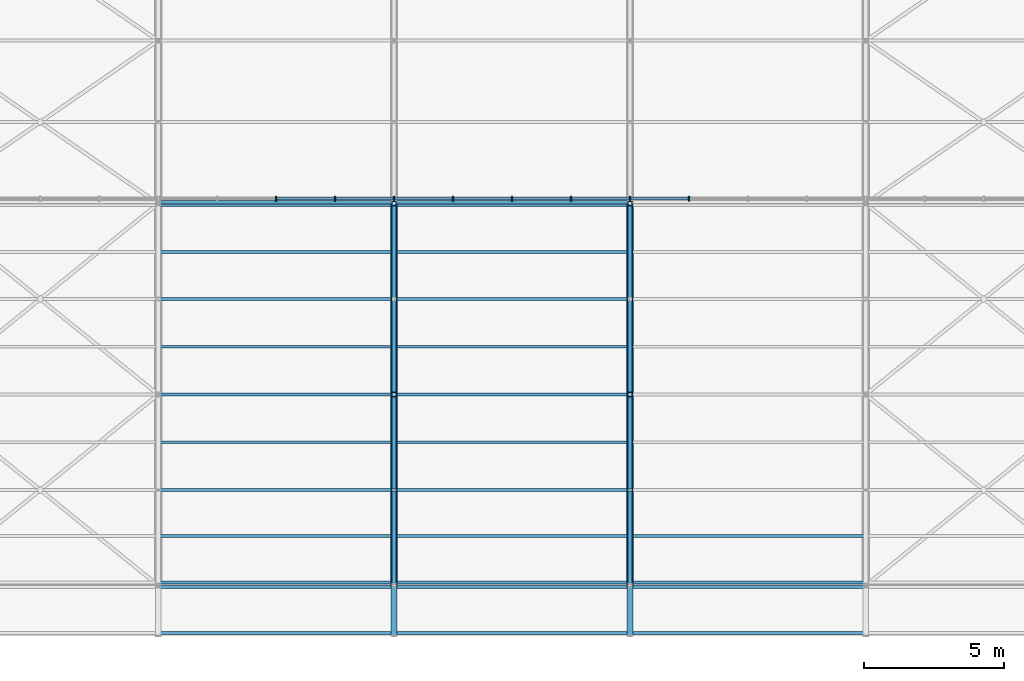
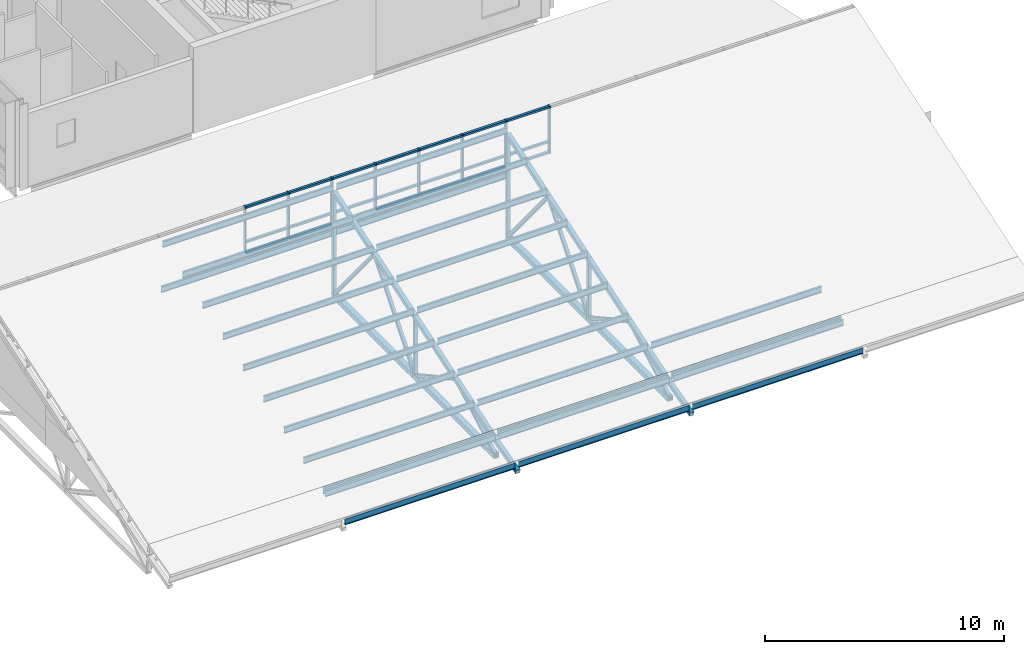
# One storey, part 21 of 89: 42 beams, 41 members, 1 element without a shape of its own.
"""IFC4 building model written with IfcOpenShell, lengths in metres."""

from ifc_helpers import new_model, si_unit, direction, frame, origin, origin_2d, place, context, subcontext, project, spatial, rectangle, hollow_rectangle, i_section, extrude, material, material_profile, profile_set, type_object, element, aggregate, save


model = new_model("IFC4")

# Units and contexts
model_context = context("Model", 3, precision=1e-05, world=origin(), true_north=direction((0.0, 1.0)))
body_context = subcontext(model_context, "Body", "Model", "MODEL_VIEW")
ifc_project = project(units=[si_unit("LENGTHUNIT", "METRE"), si_unit("AREAUNIT", "SQUARE_METRE"), si_unit("VOLUMEUNIT", "CUBIC_METRE"), si_unit("PLANEANGLEUNIT", "RADIAN"), si_unit("MASSUNIT", "GRAM", prefix="KILO")], contexts=[model_context])

# Site, building, storey
site_placement = place(None, origin())
site = spatial("IfcSite", under=ifc_project, at=site_placement, CompositionType="ELEMENT")
building_placement = place(site_placement, origin())
building = spatial("IfcBuilding", under=site, at=building_placement, Name="Hlaing Beacon Police Headquarters", CompositionType="ELEMENT")
storey_placement = place(building_placement, frame((0.0, 0.0, 9.89990234375)))
storey = spatial("IfcBuildingStorey", under=building, at=storey_placement, Name="L02", CompositionType="ELEMENT", Elevation=9.89990234375)

# Curtain wall, members
ifc_material_1 = material(Name="Aluminium frame with solar control glazing", Category="aluminium")
curtain_wall_type = type_object("IfcCurtainWallType", Name="Clerestory glazing 42.00 x 2.42", PredefinedType="NOTDEFINED", material=ifc_material_1)
curtain_wall_placement = place(storey_placement, origin())
curtain_wall = element("IfcCurtainWall", 1, at=curtain_wall_placement, inside=storey, type_object=curtain_wall_type, Name="ENV-CLR-V3-38", PredefinedType="NOTDEFINED")
ifc_material_2 = material(Name="Aluminium", Category="aluminium")
ifc_material_profile_1 = material_profile(ifc_material_2, rectangle(XDim=0.179931640625, YDim=0.06005859375, at=origin_2d()), Name="Mullion 60x180")
ifc_profile_set_1 = profile_set([ifc_material_profile_1], Name="Aluminium")
member_type_1 = type_object("IfcMemberType", Name="Mullion 60x180", PredefinedType="MULLION", material=ifc_profile_set_1)
member_1_placement = place(storey_placement, frame((105.0, 22.17822265625, 2.0810546875), z_axis=(0.0, 0.0, 1.0), x_axis=(0.0, 1.0, 0.0)))
member_1 = element("IfcMember", 2, at=member_1_placement, type_object=member_type_1, Name="CLR-V3-38 mullion 7", PredefinedType="MULLION", context=body_context, shape_type="SweptSolid", body=[
    extrude(rectangle(XDim=0.179931640625, YDim=0.06005859375, at=origin_2d()), origin(), (0.0, 0.0, 1.0), 2.4189453125),
])
member_2_placement = place(storey_placement, frame((107.10009765625, 22.17822265625, 2.0810546875), z_axis=(0.0, 0.0, 1.0), x_axis=(0.0, 1.0, 0.0)))
member_2 = element("IfcMember", 3, at=member_2_placement, type_object=member_type_1, Name="CLR-V3-38 mullion 8", PredefinedType="MULLION", context=body_context, shape_type="SweptSolid", body=[
    extrude(rectangle(XDim=0.179931640625, YDim=0.06005859375, at=origin_2d()), origin(), (0.0, 0.0, 1.0), 2.4189453125),
])
member_3_placement = place(storey_placement, frame((109.199951171875, 22.17822265625, 2.0810546875), z_axis=(0.0, 0.0, 1.0), x_axis=(0.0, 1.0, 0.0)))
member_3 = element("IfcMember", 4, at=member_3_placement, type_object=member_type_1, Name="CLR-V3-38 mullion 9", PredefinedType="MULLION", context=body_context, shape_type="SweptSolid", body=[
    extrude(rectangle(XDim=0.179931640625, YDim=0.06005859375, at=origin_2d()), origin(), (0.0, 0.0, 1.0), 2.4189453125),
])
member_4_placement = place(storey_placement, frame((111.300048828125, 22.17822265625, 2.0810546875), z_axis=(0.0, 0.0, 1.0), x_axis=(0.0, 1.0, 0.0)))
member_4 = element("IfcMember", 5, at=member_4_placement, type_object=member_type_1, Name="CLR-V3-38 mullion 10", PredefinedType="MULLION", context=body_context, shape_type="SweptSolid", body=[
    extrude(rectangle(XDim=0.179931640625, YDim=0.06005859375, at=origin_2d()), origin(), (0.0, 0.0, 1.0), 2.4189453125),
])
member_5_placement = place(storey_placement, frame((113.39990234375, 22.17822265625, 2.0810546875), z_axis=(0.0, 0.0, 1.0), x_axis=(0.0, 1.0, 0.0)))
member_5 = element("IfcMember", 6, at=member_5_placement, type_object=member_type_1, Name="CLR-V3-38 mullion 11", PredefinedType="MULLION", context=body_context, shape_type="SweptSolid", body=[
    extrude(rectangle(XDim=0.179931640625, YDim=0.06005859375, at=origin_2d()), origin(), (0.0, 0.0, 1.0), 2.4189453125),
])
member_6_placement = place(storey_placement, frame((115.5, 22.17822265625, 2.0810546875), z_axis=(0.0, 0.0, 1.0), x_axis=(0.0, 1.0, 0.0)))
member_6 = element("IfcMember", 7, at=member_6_placement, type_object=member_type_1, Name="CLR-V3-38 mullion 12", PredefinedType="MULLION", context=body_context, shape_type="SweptSolid", body=[
    extrude(rectangle(XDim=0.179931640625, YDim=0.06005859375, at=origin_2d()), origin(), (0.0, 0.0, 1.0), 2.4189453125),
])
member_7_placement = place(storey_placement, frame((117.60009765625, 22.17822265625, 2.0810546875), z_axis=(0.0, 0.0, 1.0), x_axis=(0.0, 1.0, 0.0)))
member_7 = element("IfcMember", 8, at=member_7_placement, type_object=member_type_1, Name="CLR-V3-38 mullion 13", PredefinedType="MULLION", context=body_context, shape_type="SweptSolid", body=[
    extrude(rectangle(XDim=0.179931640625, YDim=0.06005859375, at=origin_2d()), origin(), (0.0, 0.0, 1.0), 2.4189453125),
])
member_8_placement = place(storey_placement, frame((119.699951171875, 22.17822265625, 2.0810546875), z_axis=(0.0, 0.0, 1.0), x_axis=(0.0, 1.0, 0.0)))
member_8 = element("IfcMember", 9, at=member_8_placement, type_object=member_type_1, Name="CLR-V3-38 mullion 14", PredefinedType="MULLION", context=body_context, shape_type="SweptSolid", body=[
    extrude(rectangle(XDim=0.179931640625, YDim=0.06005859375, at=origin_2d()), origin(), (0.0, 0.0, 1.0), 2.4189453125),
])

# Beams
ifc_material_3 = material(Name="Steel ASTM A992 Grade 50", Category="steel")
ifc_material_profile_2 = material_profile(ifc_material_3, i_section(OverallWidth=0.102294921875, OverallDepth=0.3125, WebThickness=0.006591796875, FlangeThickness=0.0107421875, FilletRadius=0.007568359375, at=origin_2d()), Name="W12x22")
ifc_profile_set_2 = profile_set([ifc_material_profile_2], Name="Steel ASTM A992 Grade 50")
beam_type_1 = type_object("IfcBeamType", Name="Roof purlin W12x22", PredefinedType="BEAM", material=ifc_profile_set_2)
for number, where, z_axis, x_axis, name in (
    (10, (100.885009765625, 6.69970703125, -0.77880859375), (1.0, 0.0, 0.0), (0.0, 1.0, 0.0), "STR-RT-V3-PR-R1-01-2"),
    (11, (109.284912109375, 6.69970703125, -0.77880859375), (1.0, 0.0, 0.0), (0.0, 1.0, 0.0), "STR-RT-V3-PR-R1-01-3"),
    (12, (117.68505859375, 6.69970703125, -0.77880859375), (1.0, 0.0, 0.0), (0.0, 1.0, 0.0), "STR-RT-V3-PR-R1-01-4"),
    (13, (100.885009765625, 8.3388671875, -0.341552734375), (1.0, 0.0, 0.0), (0.0, 1.0, 0.0), "STR-RT-V3-PR-R1-02-2"),
    (14, (109.284912109375, 8.3388671875, -0.341552734375), (1.0, 0.0, 0.0), (0.0, 1.0, 0.0), "STR-RT-V3-PR-R1-02-3"),
    (15, (117.68505859375, 8.3388671875, -0.341552734375), (1.0, 0.0, 0.0), (0.0, 1.0, 0.0), "STR-RT-V3-PR-R1-02-4"),
    (16, (100.885009765625, 8.50830078125, -0.29541015625), (1.0, 0.0, 0.0), (0.0, 1.0, 0.0), "STR-RT-V3-PR-R2-01-2"),
    (17, (109.284912109375, 8.50830078125, -0.29541015625), (1.0, 0.0, 0.0), (0.0, 1.0, 0.0), "STR-RT-V3-PR-R2-01-3"),
    (18, (117.68505859375, 8.50830078125, -0.29541015625), (1.0, 0.0, 0.0), (0.0, 1.0, 0.0), "STR-RT-V3-PR-R2-01-4"),
    (19, (100.885009765625, 10.154296875, 0.2490234375), (1.0, 0.0, 0.0), (0.0, 1.0, 0.0), "STR-RT-V3-PR-R2-02-2"),
    (20, (109.284912109375, 10.154296875, 0.2490234375), (1.0, 0.0, 0.0), (0.0, 1.0, 0.0), "STR-RT-V3-PR-R2-02-3"),
    (21, (117.68505859375, 10.154296875, 0.2490234375), (1.0, 0.0, 0.0), (0.0, 1.0, 0.0), "STR-RT-V3-PR-R2-02-4"),
    (22, (100.885009765625, 11.800048828125, 0.793701171875), (1.0, 0.0, 0.0), (0.0, 1.0, 0.0), "STR-RT-V3-PR-R2-03-2"),
    (23, (109.284912109375, 11.800048828125, 0.793701171875), (1.0, 0.0, 0.0), (0.0, 1.0, 0.0), "STR-RT-V3-PR-R2-03-3"),
    (24, (100.885009765625, 13.5, 1.356201171875), (1.0, 0.0, 0.0), (0.0, 1.0, 0.0), "STR-RT-V3-PR-R2-04-2"),
    (25, (109.284912109375, 13.5, 1.356201171875), (1.0, 0.0, 0.0), (0.0, 1.0, 0.0), "STR-RT-V3-PR-R2-04-3"),
    (26, (100.885009765625, 15.199951171875, 1.918701171875), (1.0, 0.0, 0.0), (0.0, 1.0, 0.0), "STR-RT-V3-PR-R2-05-2"),
    (27, (109.284912109375, 15.199951171875, 1.918701171875), (1.0, 0.0, 0.0), (0.0, 1.0, 0.0), "STR-RT-V3-PR-R2-05-3"),
    (28, (100.885009765625, 16.89990234375, 2.481201171875), (1.0, 0.0, 0.0), (0.0, 1.0, 0.0), "STR-RT-V3-PR-R2-06-2"),
    (29, (109.284912109375, 16.89990234375, 2.481201171875), (1.0, 0.0, 0.0), (0.0, 1.0, 0.0), "STR-RT-V3-PR-R2-06-3"),
    (30, (100.885009765625, 18.60009765625, 3.043701171875), (1.0, 0.0, 0.0), (0.0, 1.0, 0.0), "STR-RT-V3-PR-R2-07-2"),
    (31, (109.284912109375, 18.60009765625, 3.043701171875), (1.0, 0.0, 0.0), (0.0, 1.0, 0.0), "STR-RT-V3-PR-R2-07-3"),
    (32, (100.885009765625, 20.269287109375, 3.595947265625), (1.0, 0.0, 0.0), (0.0, 1.0, 0.0), "STR-RT-V3-PR-R2-08-2"),
    (33, (109.284912109375, 20.269287109375, 3.595947265625), (1.0, 0.0, 0.0), (0.0, 1.0, 0.0), "STR-RT-V3-PR-R2-08-3"),
    (34, (100.885009765625, 21.938720703125, 4.1484375), (1.0, 0.0, 0.0), (0.0, 1.0, 0.0), "STR-RT-V3-PR-R2-09-2"),
    (35, (109.284912109375, 21.938720703125, 4.1484375), (1.0, 0.0, 0.0), (0.0, 1.0, 0.0), "STR-RT-V3-PR-R2-09-3"),
    (36, (100.885009765625, 22.061279296875, 1.765869140625), (1.0, 0.0, 0.0), (0.0, 1.0, 0.0), "STR-RT-V3-PR-R3-01-2"),
    (37, (109.284912109375, 22.061279296875, 1.765869140625), (1.0, 0.0, 0.0), (0.0, 1.0, 0.0), "STR-RT-V3-PR-R3-01-3"),
):
    element("IfcBeam", number, at=place(storey_placement, frame(where, z_axis=z_axis, x_axis=x_axis)), inside=storey, type_object=beam_type_1, Name=name, PredefinedType="BEAM", context=body_context, shape_type="SweptSolid", body=[
        extrude(i_section(OverallWidth=0.102294921875, OverallDepth=0.3125, WebThickness=0.006591796875, FlangeThickness=0.0107421875, FilletRadius=0.007568359375, at=origin_2d()), origin(), (0.0, 0.0, 1.0), 8.22998046875),
    ])

# Member
ifc_material_4 = material(Name="Aluminium", Category="aluminium")
ifc_material_profile_3 = material_profile(ifc_material_4, rectangle(XDim=0.1201171875, YDim=0.10009765625, at=origin_2d()), Name="Transom 120x100")
ifc_profile_set_3 = profile_set([ifc_material_profile_3], Name="Aluminium")
member_type_2 = type_object("IfcMemberType", Name="Transom 120x100", PredefinedType="USERDEFINED", material=ifc_profile_set_3)
member_9_placement = place(storey_placement, frame((105.030029296875, 22.17822265625, 2.131103515625), z_axis=(1.0, 0.0, 0.0), x_axis=(0.0, 1.0, 0.0)))
member_9 = element("IfcMember", 38, at=member_9_placement, type_object=member_type_2, Name="CLR-V3-38 transom 7.1", ObjectType="TRANSOM", PredefinedType="USERDEFINED", context=body_context, shape_type="SweptSolid", body=[
    extrude(rectangle(XDim=0.1201171875, YDim=0.10009765625, at=origin_2d()), origin(), (0.0, 0.0, 1.0), 2.0400390625),
])

member_10_placement = place(storey_placement, frame((105.030029296875, 22.17822265625, 2.68115234375), z_axis=(1.0, 0.0, 0.0), x_axis=(0.0, 1.0, 0.0)))
member_10 = element("IfcMember", 39, at=member_10_placement, type_object=member_type_2, Name="CLR-V3-38 transom 7.2", ObjectType="TRANSOM", PredefinedType="USERDEFINED", context=body_context, shape_type="SweptSolid", body=[
    extrude(rectangle(XDim=0.1201171875, YDim=0.10009765625, at=origin_2d()), origin(), (0.0, 0.0, 1.0), 2.0400390625),
])

member_11_placement = place(storey_placement, frame((105.030029296875, 22.17822265625, 4.4501953125), z_axis=(1.0, 0.0, 0.0), x_axis=(0.0, 1.0, 0.0)))
member_11 = element("IfcMember", 40, at=member_11_placement, type_object=member_type_2, Name="CLR-V3-38 transom 7.3", ObjectType="TRANSOM", PredefinedType="USERDEFINED", context=body_context, shape_type="SweptSolid", body=[
    extrude(rectangle(XDim=0.1201171875, YDim=0.10009765625, at=origin_2d()), origin(), (0.0, 0.0, 1.0), 2.0400390625),
])

member_12_placement = place(storey_placement, frame((107.1298828125, 22.17822265625, 2.131103515625), z_axis=(1.0, 0.0, 0.0), x_axis=(0.0, 1.0, 0.0)))
member_12 = element("IfcMember", 41, at=member_12_placement, type_object=member_type_2, Name="CLR-V3-38 transom 8.1", ObjectType="TRANSOM", PredefinedType="USERDEFINED", context=body_context, shape_type="SweptSolid", body=[
    extrude(rectangle(XDim=0.1201171875, YDim=0.10009765625, at=origin_2d()), origin(), (0.0, 0.0, 1.0), 2.0400390625),
])

member_13_placement = place(storey_placement, frame((107.1298828125, 22.17822265625, 2.68115234375), z_axis=(1.0, 0.0, 0.0), x_axis=(0.0, 1.0, 0.0)))
member_13 = element("IfcMember", 42, at=member_13_placement, type_object=member_type_2, Name="CLR-V3-38 transom 8.2", ObjectType="TRANSOM", PredefinedType="USERDEFINED", context=body_context, shape_type="SweptSolid", body=[
    extrude(rectangle(XDim=0.1201171875, YDim=0.10009765625, at=origin_2d()), origin(), (0.0, 0.0, 1.0), 2.0400390625),
])

member_14_placement = place(storey_placement, frame((107.1298828125, 22.17822265625, 4.4501953125), z_axis=(1.0, 0.0, 0.0), x_axis=(0.0, 1.0, 0.0)))
member_14 = element("IfcMember", 43, at=member_14_placement, type_object=member_type_2, Name="CLR-V3-38 transom 8.3", ObjectType="TRANSOM", PredefinedType="USERDEFINED", context=body_context, shape_type="SweptSolid", body=[
    extrude(rectangle(XDim=0.1201171875, YDim=0.10009765625, at=origin_2d()), origin(), (0.0, 0.0, 1.0), 2.0400390625),
])

member_15_placement = place(storey_placement, frame((109.22998046875, 22.17822265625, 2.131103515625), z_axis=(1.0, 0.0, 0.0), x_axis=(0.0, 1.0, 0.0)))
member_15 = element("IfcMember", 44, at=member_15_placement, type_object=member_type_2, Name="CLR-V3-38 transom 9.1", ObjectType="TRANSOM", PredefinedType="USERDEFINED", context=body_context, shape_type="SweptSolid", body=[
    extrude(rectangle(XDim=0.1201171875, YDim=0.10009765625, at=origin_2d()), origin(), (0.0, 0.0, 1.0), 2.0400390625),
])

member_16_placement = place(storey_placement, frame((109.22998046875, 22.17822265625, 2.68115234375), z_axis=(1.0, 0.0, 0.0), x_axis=(0.0, 1.0, 0.0)))
member_16 = element("IfcMember", 45, at=member_16_placement, type_object=member_type_2, Name="CLR-V3-38 transom 9.2", ObjectType="TRANSOM", PredefinedType="USERDEFINED", context=body_context, shape_type="SweptSolid", body=[
    extrude(rectangle(XDim=0.1201171875, YDim=0.10009765625, at=origin_2d()), origin(), (0.0, 0.0, 1.0), 2.0400390625),
])

member_17_placement = place(storey_placement, frame((109.22998046875, 22.17822265625, 4.4501953125), z_axis=(1.0, 0.0, 0.0), x_axis=(0.0, 1.0, 0.0)))
member_17 = element("IfcMember", 46, at=member_17_placement, type_object=member_type_2, Name="CLR-V3-38 transom 9.3", ObjectType="TRANSOM", PredefinedType="USERDEFINED", context=body_context, shape_type="SweptSolid", body=[
    extrude(rectangle(XDim=0.1201171875, YDim=0.10009765625, at=origin_2d()), origin(), (0.0, 0.0, 1.0), 2.0400390625),
])

member_18_placement = place(storey_placement, frame((111.330078125, 22.17822265625, 2.131103515625), z_axis=(1.0, 0.0, 0.0), x_axis=(0.0, 1.0, 0.0)))
member_18 = element("IfcMember", 47, at=member_18_placement, type_object=member_type_2, Name="CLR-V3-38 transom 10.1", ObjectType="TRANSOM", PredefinedType="USERDEFINED", context=body_context, shape_type="SweptSolid", body=[
    extrude(rectangle(XDim=0.1201171875, YDim=0.10009765625, at=origin_2d()), origin(), (0.0, 0.0, 1.0), 2.0400390625),
])

member_19_placement = place(storey_placement, frame((111.330078125, 22.17822265625, 2.68115234375), z_axis=(1.0, 0.0, 0.0), x_axis=(0.0, 1.0, 0.0)))
member_19 = element("IfcMember", 48, at=member_19_placement, type_object=member_type_2, Name="CLR-V3-38 transom 10.2", ObjectType="TRANSOM", PredefinedType="USERDEFINED", context=body_context, shape_type="SweptSolid", body=[
    extrude(rectangle(XDim=0.1201171875, YDim=0.10009765625, at=origin_2d()), origin(), (0.0, 0.0, 1.0), 2.0400390625),
])

member_20_placement = place(storey_placement, frame((111.330078125, 22.17822265625, 4.4501953125), z_axis=(1.0, 0.0, 0.0), x_axis=(0.0, 1.0, 0.0)))
member_20 = element("IfcMember", 49, at=member_20_placement, type_object=member_type_2, Name="CLR-V3-38 transom 10.3", ObjectType="TRANSOM", PredefinedType="USERDEFINED", context=body_context, shape_type="SweptSolid", body=[
    extrude(rectangle(XDim=0.1201171875, YDim=0.10009765625, at=origin_2d()), origin(), (0.0, 0.0, 1.0), 2.0400390625),
])

member_21_placement = place(storey_placement, frame((113.429931640625, 22.17822265625, 2.131103515625), z_axis=(1.0, 0.0, 0.0), x_axis=(0.0, 1.0, 0.0)))
member_21 = element("IfcMember", 50, at=member_21_placement, type_object=member_type_2, Name="CLR-V3-38 transom 11.1", ObjectType="TRANSOM", PredefinedType="USERDEFINED", context=body_context, shape_type="SweptSolid", body=[
    extrude(rectangle(XDim=0.1201171875, YDim=0.10009765625, at=origin_2d()), origin(), (0.0, 0.0, 1.0), 2.0400390625),
])

member_22_placement = place(storey_placement, frame((113.429931640625, 22.17822265625, 2.68115234375), z_axis=(1.0, 0.0, 0.0), x_axis=(0.0, 1.0, 0.0)))
member_22 = element("IfcMember", 51, at=member_22_placement, type_object=member_type_2, Name="CLR-V3-38 transom 11.2", ObjectType="TRANSOM", PredefinedType="USERDEFINED", context=body_context, shape_type="SweptSolid", body=[
    extrude(rectangle(XDim=0.1201171875, YDim=0.10009765625, at=origin_2d()), origin(), (0.0, 0.0, 1.0), 2.0400390625),
])

member_23_placement = place(storey_placement, frame((113.429931640625, 22.17822265625, 4.4501953125), z_axis=(1.0, 0.0, 0.0), x_axis=(0.0, 1.0, 0.0)))
member_23 = element("IfcMember", 52, at=member_23_placement, type_object=member_type_2, Name="CLR-V3-38 transom 11.3", ObjectType="TRANSOM", PredefinedType="USERDEFINED", context=body_context, shape_type="SweptSolid", body=[
    extrude(rectangle(XDim=0.1201171875, YDim=0.10009765625, at=origin_2d()), origin(), (0.0, 0.0, 1.0), 2.0400390625),
])

member_24_placement = place(storey_placement, frame((115.530029296875, 22.17822265625, 2.131103515625), z_axis=(1.0, 0.0, 0.0), x_axis=(0.0, 1.0, 0.0)))
member_24 = element("IfcMember", 53, at=member_24_placement, type_object=member_type_2, Name="CLR-V3-38 transom 12.1", ObjectType="TRANSOM", PredefinedType="USERDEFINED", context=body_context, shape_type="SweptSolid", body=[
    extrude(rectangle(XDim=0.1201171875, YDim=0.10009765625, at=origin_2d()), origin(), (0.0, 0.0, 1.0), 2.0400390625),
])

member_25_placement = place(storey_placement, frame((115.530029296875, 22.17822265625, 2.68115234375), z_axis=(1.0, 0.0, 0.0), x_axis=(0.0, 1.0, 0.0)))
member_25 = element("IfcMember", 54, at=member_25_placement, type_object=member_type_2, Name="CLR-V3-38 transom 12.2", ObjectType="TRANSOM", PredefinedType="USERDEFINED", context=body_context, shape_type="SweptSolid", body=[
    extrude(rectangle(XDim=0.1201171875, YDim=0.10009765625, at=origin_2d()), origin(), (0.0, 0.0, 1.0), 2.0400390625),
])

member_26_placement = place(storey_placement, frame((115.530029296875, 22.17822265625, 4.4501953125), z_axis=(1.0, 0.0, 0.0), x_axis=(0.0, 1.0, 0.0)))
member_26 = element("IfcMember", 55, at=member_26_placement, type_object=member_type_2, Name="CLR-V3-38 transom 12.3", ObjectType="TRANSOM", PredefinedType="USERDEFINED", context=body_context, shape_type="SweptSolid", body=[
    extrude(rectangle(XDim=0.1201171875, YDim=0.10009765625, at=origin_2d()), origin(), (0.0, 0.0, 1.0), 2.0400390625),
])

member_27_placement = place(storey_placement, frame((117.6298828125, 22.17822265625, 2.131103515625), z_axis=(1.0, 0.0, 0.0), x_axis=(0.0, 1.0, 0.0)))
member_27 = element("IfcMember", 56, at=member_27_placement, type_object=member_type_2, Name="CLR-V3-38 transom 13.1", ObjectType="TRANSOM", PredefinedType="USERDEFINED", context=body_context, shape_type="SweptSolid", body=[
    extrude(rectangle(XDim=0.1201171875, YDim=0.10009765625, at=origin_2d()), origin(), (0.0, 0.0, 1.0), 2.0400390625),
])

member_28_placement = place(storey_placement, frame((117.6298828125, 22.17822265625, 2.68115234375), z_axis=(1.0, 0.0, 0.0), x_axis=(0.0, 1.0, 0.0)))
member_28 = element("IfcMember", 57, at=member_28_placement, type_object=member_type_2, Name="CLR-V3-38 transom 13.2", ObjectType="TRANSOM", PredefinedType="USERDEFINED", context=body_context, shape_type="SweptSolid", body=[
    extrude(rectangle(XDim=0.1201171875, YDim=0.10009765625, at=origin_2d()), origin(), (0.0, 0.0, 1.0), 2.0400390625),
])

member_29_placement = place(storey_placement, frame((117.6298828125, 22.17822265625, 4.4501953125), z_axis=(1.0, 0.0, 0.0), x_axis=(0.0, 1.0, 0.0)))
member_29 = element("IfcMember", 58, at=member_29_placement, type_object=member_type_2, Name="CLR-V3-38 transom 13.3", ObjectType="TRANSOM", PredefinedType="USERDEFINED", context=body_context, shape_type="SweptSolid", body=[
    extrude(rectangle(XDim=0.1201171875, YDim=0.10009765625, at=origin_2d()), origin(), (0.0, 0.0, 1.0), 2.0400390625),
])

aggregate(curtain_wall, [member_1, member_2, member_3, member_4, member_5, member_6, member_7, member_8, member_9, member_10, member_11, member_12, member_13, member_14, member_15, member_16, member_17, member_18, member_19, member_20, member_21, member_22, member_23, member_24, member_25, member_26, member_27, member_28, member_29])

# Beams
ifc_material_5 = material(Name="Steel ASTM A500 Grade C", Category="steel")
ifc_material_profile_4 = material_profile(ifc_material_5, hollow_rectangle(XDim=0.25390625, YDim=0.25390625, WallThickness=0.0126953125, at=origin_2d()), Name="HSS10x10x1/2")
ifc_profile_set_4 = profile_set([ifc_material_profile_4], Name="Steel ASTM A500 Grade C")
beam_type_2 = type_object("IfcBeamType", Name="Truss bottom chord HSS10x10x1/2", PredefinedType="BEAM", material=ifc_profile_set_4)
for number, where, z_axis, x_axis, name in (
    (59, (109.199951171875, 8.39990234375, -1.372802734375), (0.0, 1.0, 0.0), (-1.0, 0.0, 0.0), "STR-RT-V3-T3-BC01"),
    (60, (109.199951171875, 15.199951171875, -1.372802734375), (0.0, 1.0, 0.0), (-1.0, 0.0, 0.0), "STR-RT-V3-T3-BC02"),
    (61, (117.60009765625, 8.39990234375, -1.372802734375), (0.0, 1.0, 0.0), (-1.0, 0.0, 0.0), "STR-RT-V3-T4-BC01"),
    (62, (117.60009765625, 15.199951171875, -1.372802734375), (0.0, 1.0, 0.0), (-1.0, 0.0, 0.0), "STR-RT-V3-T4-BC02"),
):
    element("IfcBeam", number, at=place(storey_placement, frame(where, z_axis=z_axis, x_axis=x_axis)), inside=storey, type_object=beam_type_2, Name=name, PredefinedType="BEAM", context=body_context, shape_type="SweptSolid", body=[
        extrude(hollow_rectangle(XDim=0.25390625, YDim=0.25390625, WallThickness=0.0126953125, at=origin_2d()), origin(), (0.0, 0.0, 1.0), 6.800048828125),
    ])

# Members
ifc_material_6 = material(Name="Steel ASTM A500 Grade C", Category="steel")
ifc_material_profile_5 = material_profile(ifc_material_6, hollow_rectangle(XDim=0.15234375, YDim=0.15234375, WallThickness=0.0126953125, at=origin_2d()), Name="HSS6x6x1/2")
ifc_profile_set_5 = profile_set([ifc_material_profile_5], Name="Steel ASTM A500 Grade C")
member_type_3 = type_object("IfcMemberType", Name="Truss post HSS6x6x1/2", PredefinedType="POST", material=ifc_profile_set_5)
member_30_placement = place(storey_placement, frame((109.199951171875, 15.199951171875, -1.372802734375), z_axis=(0.0, 0.0, 1.0), x_axis=(1.0, 0.0, 0.0)))
element("IfcMember", 63, at=member_30_placement, inside=storey, type_object=member_type_3, Name="STR-RT-V3-T3-PS02", PredefinedType="POST", context=body_context, shape_type="SweptSolid", body=[
    extrude(hollow_rectangle(XDim=0.15234375, YDim=0.15234375, WallThickness=0.0126953125, at=origin_2d()), origin(), (0.0, 0.0, 1.0), 3.01171875),
])
member_31_placement = place(storey_placement, frame((109.199951171875, 22.0, -1.372802734375), z_axis=(0.0, 0.0, 1.0), x_axis=(1.0, 0.0, 0.0)))
element("IfcMember", 64, at=member_31_placement, inside=storey, type_object=member_type_3, Name="STR-RT-V3-T3-PS03", PredefinedType="POST", context=body_context, shape_type="SweptSolid", body=[
    extrude(hollow_rectangle(XDim=0.15234375, YDim=0.15234375, WallThickness=0.0126953125, at=origin_2d()), origin(), (0.0, 0.0, 1.0), 5.26171875),
])
member_32_placement = place(storey_placement, frame((117.60009765625, 15.199951171875, -1.372802734375), z_axis=(0.0, 0.0, 1.0), x_axis=(1.0, 0.0, 0.0)))
element("IfcMember", 65, at=member_32_placement, inside=storey, type_object=member_type_3, Name="STR-RT-V3-T4-PS02", PredefinedType="POST", context=body_context, shape_type="SweptSolid", body=[
    extrude(hollow_rectangle(XDim=0.15234375, YDim=0.15234375, WallThickness=0.0126953125, at=origin_2d()), origin(), (0.0, 0.0, 1.0), 3.01171875),
])
member_33_placement = place(storey_placement, frame((117.60009765625, 22.0, -1.372802734375), z_axis=(0.0, 0.0, 1.0), x_axis=(1.0, 0.0, 0.0)))
element("IfcMember", 66, at=member_33_placement, inside=storey, type_object=member_type_3, Name="STR-RT-V3-T4-PS03", PredefinedType="POST", context=body_context, shape_type="SweptSolid", body=[
    extrude(hollow_rectangle(XDim=0.15234375, YDim=0.15234375, WallThickness=0.0126953125, at=origin_2d()), origin(), (0.0, 0.0, 1.0), 5.26171875),
])

# Beams
ifc_material_7 = material(Name="Steel ASTM A500 Grade C", Category="steel")
ifc_material_profile_6 = material_profile(ifc_material_7, hollow_rectangle(XDim=0.203125, YDim=0.203125, WallThickness=0.015869140625, at=origin_2d()), Name="HSS8x8x5/8")
ifc_profile_set_6 = profile_set([ifc_material_profile_6], Name="Steel ASTM A500 Grade C")
beam_type_3 = type_object("IfcBeamType", Name="Truss top chord HSS8x8x5/8", PredefinedType="BEAM", material=ifc_profile_set_6)
beam_1_placement = place(storey_placement, frame((109.199951171875, 6.60009765625, -1.080078125), z_axis=(0.0, 0.966977619685, 0.254861301553), x_axis=(-1.0, 0.0, 0.0)))
element("IfcBeam", 67, at=beam_1_placement, inside=storey, type_object=beam_type_3, Name="STR-RT-V3-T3-TC01", PredefinedType="BEAM", context=body_context, shape_type="SweptSolid", body=[
    extrude(hollow_rectangle(XDim=0.203125, YDim=0.203125, WallThickness=0.015869140625, at=origin_2d()), origin(), (0.0, 0.0, 1.0), 1.861328125),
])
beam_2_placement = place(storey_placement, frame((109.199951171875, 8.39990234375, -0.605712890625), z_axis=(0.0, 0.949829586508, 0.312767895722), x_axis=(-1.0, 0.0, 0.0)))
element("IfcBeam", 68, at=beam_2_placement, inside=storey, type_object=beam_type_3, Name="STR-RT-V3-T3-TC02", PredefinedType="BEAM", context=body_context, shape_type="SweptSolid", body=[
    extrude(hollow_rectangle(XDim=0.203125, YDim=0.203125, WallThickness=0.015869140625, at=origin_2d()), origin(), (0.0, 0.0, 1.0), 3.579833984375),
])
beam_3_placement = place(storey_placement, frame((109.199951171875, 11.800048828125, 0.513916015625), z_axis=(0.0, 0.949376368451, 0.314140909509), x_axis=(-1.0, 0.0, 0.0)))
element("IfcBeam", 69, at=beam_3_placement, inside=storey, type_object=beam_type_3, Name="STR-RT-V3-T3-TC03", PredefinedType="BEAM", context=body_context, shape_type="SweptSolid", body=[
    extrude(hollow_rectangle(XDim=0.203125, YDim=0.203125, WallThickness=0.015869140625, at=origin_2d()), origin(), (0.0, 0.0, 1.0), 3.581298828125),
])
beam_4_placement = place(storey_placement, frame((109.199951171875, 15.199951171875, 1.638916015625), z_axis=(0.0, 0.949383095411, 0.314120578994), x_axis=(-1.0, 0.0, 0.0)))
element("IfcBeam", 70, at=beam_4_placement, inside=storey, type_object=beam_type_3, Name="STR-RT-V3-T3-TC04", PredefinedType="BEAM", context=body_context, shape_type="SweptSolid", body=[
    extrude(hollow_rectangle(XDim=0.203125, YDim=0.203125, WallThickness=0.015869140625, at=origin_2d()), origin(), (0.0, 0.0, 1.0), 3.58154296875),
])
beam_5_placement = place(storey_placement, frame((109.199951171875, 18.60009765625, 2.763916015625), z_axis=(0.0, 0.949376368451, 0.314140909509), x_axis=(-1.0, 0.0, 0.0)))
element("IfcBeam", 71, at=beam_5_placement, inside=storey, type_object=beam_type_3, Name="STR-RT-V3-T3-TC05", PredefinedType="BEAM", context=body_context, shape_type="SweptSolid", body=[
    extrude(hollow_rectangle(XDim=0.203125, YDim=0.203125, WallThickness=0.015869140625, at=origin_2d()), origin(), (0.0, 0.0, 1.0), 3.581298828125),
])
beam_6_placement = place(storey_placement, frame((117.60009765625, 6.60009765625, -1.080078125), z_axis=(0.0, 0.966977619685, 0.254861301553), x_axis=(-1.0, 0.0, 0.0)))
element("IfcBeam", 72, at=beam_6_placement, inside=storey, type_object=beam_type_3, Name="STR-RT-V3-T4-TC01", PredefinedType="BEAM", context=body_context, shape_type="SweptSolid", body=[
    extrude(hollow_rectangle(XDim=0.203125, YDim=0.203125, WallThickness=0.015869140625, at=origin_2d()), origin(), (0.0, 0.0, 1.0), 1.861328125),
])
beam_7_placement = place(storey_placement, frame((117.60009765625, 8.39990234375, -0.605712890625), z_axis=(0.0, 0.949829586508, 0.312767895722), x_axis=(-1.0, 0.0, 0.0)))
element("IfcBeam", 73, at=beam_7_placement, inside=storey, type_object=beam_type_3, Name="STR-RT-V3-T4-TC02", PredefinedType="BEAM", context=body_context, shape_type="SweptSolid", body=[
    extrude(hollow_rectangle(XDim=0.203125, YDim=0.203125, WallThickness=0.015869140625, at=origin_2d()), origin(), (0.0, 0.0, 1.0), 3.579833984375),
])
beam_8_placement = place(storey_placement, frame((117.60009765625, 11.800048828125, 0.513916015625), z_axis=(0.0, 0.949376368451, 0.314140909509), x_axis=(-1.0, 0.0, 0.0)))
element("IfcBeam", 74, at=beam_8_placement, inside=storey, type_object=beam_type_3, Name="STR-RT-V3-T4-TC03", PredefinedType="BEAM", context=body_context, shape_type="SweptSolid", body=[
    extrude(hollow_rectangle(XDim=0.203125, YDim=0.203125, WallThickness=0.015869140625, at=origin_2d()), origin(), (0.0, 0.0, 1.0), 3.581298828125),
])
beam_9_placement = place(storey_placement, frame((117.60009765625, 15.199951171875, 1.638916015625), z_axis=(0.0, 0.949383095411, 0.314120578994), x_axis=(-1.0, 0.0, 0.0)))
element("IfcBeam", 75, at=beam_9_placement, inside=storey, type_object=beam_type_3, Name="STR-RT-V3-T4-TC04", PredefinedType="BEAM", context=body_context, shape_type="SweptSolid", body=[
    extrude(hollow_rectangle(XDim=0.203125, YDim=0.203125, WallThickness=0.015869140625, at=origin_2d()), origin(), (0.0, 0.0, 1.0), 3.58154296875),
])
beam_10_placement = place(storey_placement, frame((117.60009765625, 18.60009765625, 2.763916015625), z_axis=(0.0, 0.949376368451, 0.314140909509), x_axis=(-1.0, 0.0, 0.0)))
element("IfcBeam", 76, at=beam_10_placement, inside=storey, type_object=beam_type_3, Name="STR-RT-V3-T4-TC05", PredefinedType="BEAM", context=body_context, shape_type="SweptSolid", body=[
    extrude(hollow_rectangle(XDim=0.203125, YDim=0.203125, WallThickness=0.015869140625, at=origin_2d()), origin(), (0.0, 0.0, 1.0), 3.581298828125),
])

# Members
ifc_material_8 = material(Name="Steel ASTM A500 Grade C", Category="steel")
ifc_material_profile_7 = material_profile(ifc_material_8, hollow_rectangle(XDim=0.15234375, YDim=0.15234375, WallThickness=0.009521484375, at=origin_2d()), Name="HSS6x6x3/8")
ifc_profile_set_7 = profile_set([ifc_material_profile_7], Name="Steel ASTM A500 Grade C")
member_type_4 = type_object("IfcMemberType", Name="Truss web HSS6x6x3/8", PredefinedType="BRACE", material=ifc_profile_set_7)
for number, where, z_axis, x_axis, name in (
    (77, (109.199951171875, 8.39990234375, -1.372802734375), (0.0, 0.874402972299, 0.485200414298), (-1.0, 0.0, 0.0), "STR-RT-V3-T3-DG01"),
    (78, (109.199951171875, 11.800048828125, 0.513916015625), (0.0, 0.874388190335, -0.485227052629), (-1.0, 0.0, 0.0), "STR-RT-V3-T3-DG02"),
):
    element("IfcMember", number, at=place(storey_placement, frame(where, z_axis=z_axis, x_axis=x_axis)), inside=storey, type_object=member_type_4, Name=name, PredefinedType="BRACE", context=body_context, shape_type="SweptSolid", body=[
        extrude(hollow_rectangle(XDim=0.15234375, YDim=0.15234375, WallThickness=0.009521484375, at=origin_2d()), origin(), (0.0, 0.0, 1.0), 3.888427734375),
    ])
member_34_placement = place(storey_placement, frame((109.199951171875, 15.199951171875, -1.372802734375), z_axis=(0.0, 0.634976630923, 0.772531344465), x_axis=(-1.0, 0.0, 0.0)))
element("IfcMember", 79, at=member_34_placement, inside=storey, type_object=member_type_4, Name="STR-RT-V3-T3-DG03", PredefinedType="BRACE", context=body_context, shape_type="SweptSolid", body=[
    extrude(hollow_rectangle(XDim=0.15234375, YDim=0.15234375, WallThickness=0.009521484375, at=origin_2d()), origin(), (0.0, 0.0, 1.0), 5.354736328125),
])
member_35_placement = place(storey_placement, frame((109.199951171875, 18.60009765625, 2.763916015625), z_axis=(0.0, 0.634949419501, -0.772553709897), x_axis=(-1.0, 0.0, 0.0)))
element("IfcMember", 80, at=member_35_placement, inside=storey, type_object=member_type_4, Name="STR-RT-V3-T3-DG04", PredefinedType="BRACE", context=body_context, shape_type="SweptSolid", body=[
    extrude(hollow_rectangle(XDim=0.15234375, YDim=0.15234375, WallThickness=0.009521484375, at=origin_2d()), origin(), (0.0, 0.0, 1.0), 5.3544921875),
])
for number, where, z_axis, x_axis, name in (
    (81, (117.60009765625, 8.39990234375, -1.372802734375), (0.0, 0.874402972299, 0.485200414298), (-1.0, 0.0, 0.0), "STR-RT-V3-T4-DG01"),
    (82, (117.60009765625, 11.800048828125, 0.513916015625), (0.0, 0.874388190335, -0.485227052629), (-1.0, 0.0, 0.0), "STR-RT-V3-T4-DG02"),
):
    element("IfcMember", number, at=place(storey_placement, frame(where, z_axis=z_axis, x_axis=x_axis)), inside=storey, type_object=member_type_4, Name=name, PredefinedType="BRACE", context=body_context, shape_type="SweptSolid", body=[
        extrude(hollow_rectangle(XDim=0.15234375, YDim=0.15234375, WallThickness=0.009521484375, at=origin_2d()), origin(), (0.0, 0.0, 1.0), 3.888427734375),
    ])
member_36_placement = place(storey_placement, frame((117.60009765625, 15.199951171875, -1.372802734375), z_axis=(0.0, 0.634976630923, 0.772531344465), x_axis=(-1.0, 0.0, 0.0)))
element("IfcMember", 83, at=member_36_placement, inside=storey, type_object=member_type_4, Name="STR-RT-V3-T4-DG03", PredefinedType="BRACE", context=body_context, shape_type="SweptSolid", body=[
    extrude(hollow_rectangle(XDim=0.15234375, YDim=0.15234375, WallThickness=0.009521484375, at=origin_2d()), origin(), (0.0, 0.0, 1.0), 5.354736328125),
])
member_37_placement = place(storey_placement, frame((117.60009765625, 18.60009765625, 2.763916015625), z_axis=(0.0, 0.634949419501, -0.772553709897), x_axis=(-1.0, 0.0, 0.0)))
element("IfcMember", 84, at=member_37_placement, inside=storey, type_object=member_type_4, Name="STR-RT-V3-T4-DG04", PredefinedType="BRACE", context=body_context, shape_type="SweptSolid", body=[
    extrude(hollow_rectangle(XDim=0.15234375, YDim=0.15234375, WallThickness=0.009521484375, at=origin_2d()), origin(), (0.0, 0.0, 1.0), 5.3544921875),
])

save(model, "model.ifc")
